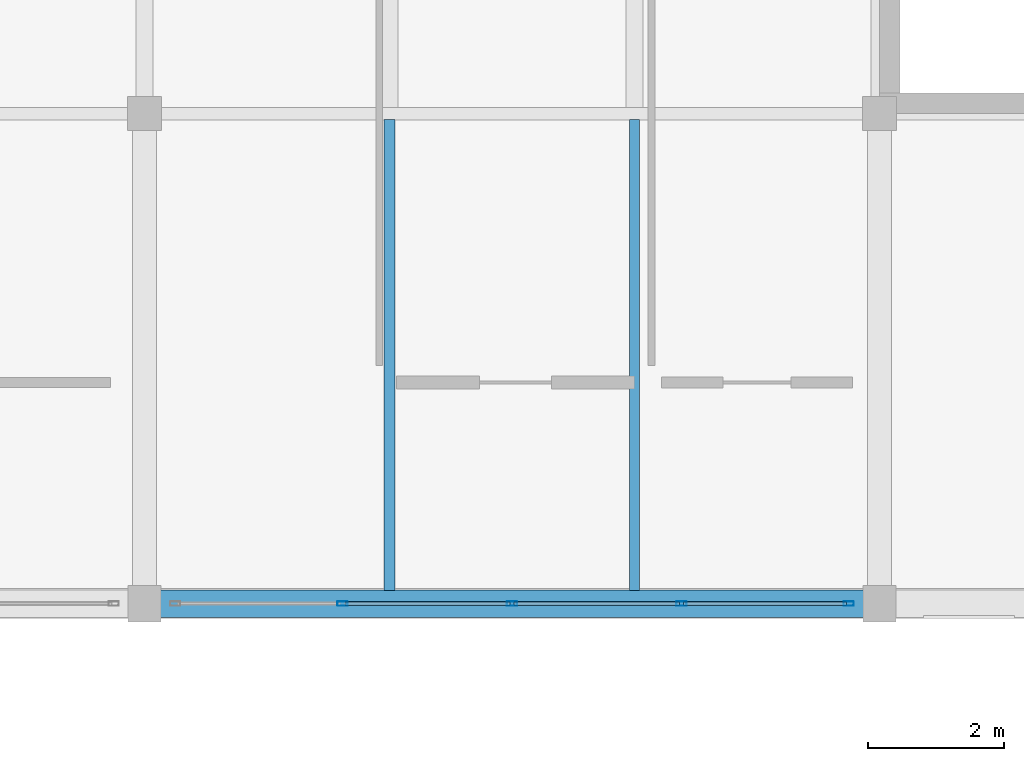
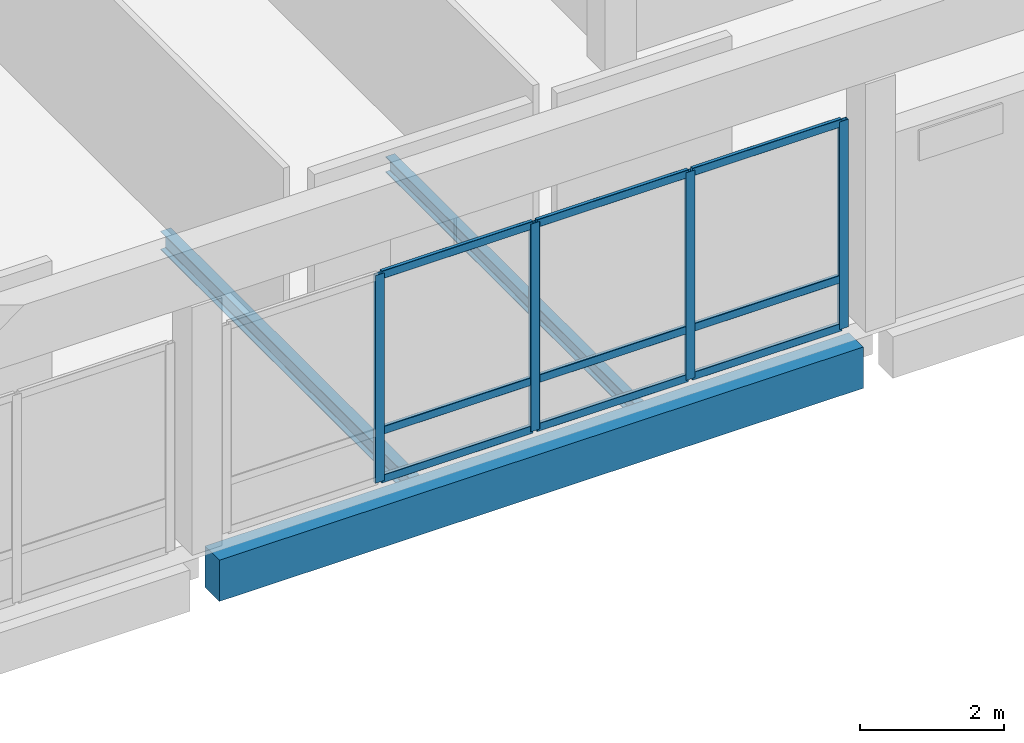
# One storey, part 15 of 33: 13 members, 3 beams, 1 element without a shape of its own.
"""IFC4 building model written with IfcOpenShell, lengths in metres."""

import ifcopenshell
import ifcopenshell.guid

model = None  # the IFC model being written
_history = None  # IfcOwnerHistory: only IFC2X3 demands one
_inside = {}  # id of a spatial element -> (the spatial element, [elements in it])
_under = {}  # id of a project, library or spatial element -> (it, [spatial elements below it])
_declared = {}  # id of a project -> (the project, [libraries it declares])
_typed = {}  # id of a type object -> (the type object, [elements of that type])
_made_of = {}  # id of a material, layer set ... -> (it, [elements and type objects made of it])


def new_model(schema):
    """Start an empty IFC model of exactly this schema.

    Asked for "IFC4X3", IfcOpenShell would pick the latest addendum, in which some entities
    have other attributes; the version numbers below select the first issue.
    IFC2X3 requires an IfcOwnerHistory on every rooted entity: one is made here for all.
    """
    global model, _history
    if schema == "IFC4X3":
        model = ifcopenshell.file(schema_version=(4, 3, 0, 0))
    else:
        model = ifcopenshell.file(schema=schema)
    _inside.clear()
    _under.clear()
    _declared.clear()
    _typed.clear()
    _made_of.clear()
    _history = None
    if model.schema == "IFC2X3":
        org = make("IfcOrganization", Name="unknown")
        user = make(
            "IfcPersonAndOrganization",
            ThePerson=make("IfcPerson", FamilyName="unknown"),
            TheOrganization=org,
        )
        app = make(
            "IfcApplication",
            ApplicationDeveloper=org,
            Version="unknown",
            ApplicationFullName="unknown",
            ApplicationIdentifier="unknown",
        )
        _history = make(
            "IfcOwnerHistory",
            OwningUser=user,
            OwningApplication=app,
            ChangeAction="ADDED",
            CreationDate=0,
        )
    return model


def make(cls, **values):
    """One entity of the class cls with the attributes given. An attribute that is None is left unset."""
    return model.create_entity(
        cls, **{name: value for name, value in values.items() if value is not None}
    )


def rooted(cls, **values):
    """An entity with a GlobalId (a new one), such as an element, a storey or a relation."""
    return make(cls, GlobalId=ifcopenshell.guid.new(), OwnerHistory=_history, **values)


def si_unit(unit_type, name, prefix=None):
    """IfcSIUnit, for example si_unit("LENGTHUNIT", "METRE", prefix="MILLI")."""
    return make("IfcSIUnit", UnitType=unit_type, Prefix=prefix, Name=name)


def assignment(units):
    """IfcUnitAssignment: the units of a project."""
    return None if units is None else make("IfcUnitAssignment", Units=units)


def point(xyz):
    """IfcCartesianPoint."""
    return None if xyz is None else make("IfcCartesianPoint", Coordinates=xyz)


def direction(xyz):
    """IfcDirection."""
    return None if xyz is None else make("IfcDirection", DirectionRatios=xyz)


def frame(location, z_axis=None, x_axis=None):
    """IfcAxis2Placement3D, a coordinate frame: its origin and axes. An axis left out is left unset."""
    return make(
        "IfcAxis2Placement3D",
        Location=point(location),
        Axis=direction(z_axis),
        RefDirection=direction(x_axis),
    )


def frame_2d(location, x_axis=None):
    """IfcAxis2Placement2D, a coordinate frame in the plane: its origin and x axis."""
    return make(
        "IfcAxis2Placement2D", Location=point(location), RefDirection=direction(x_axis)
    )


def origin():
    """The frame at (0, 0, 0) with its axes left unset."""
    return frame((0.0, 0.0, 0.0))


def origin_2d():
    """The frame at (0, 0) in the plane with its x axis left unset."""
    return frame_2d((0.0, 0.0))


def place(relative_to, where):
    """IfcLocalPlacement: puts the frame where relative to a parent placement (None: the world)."""
    return make(
        "IfcLocalPlacement", PlacementRelTo=relative_to, RelativePlacement=where
    )


def context(
    kind, dimensions, precision=None, world=None, true_north=None, identifier=None
):
    """IfcGeometricRepresentationContext, for example the 3D "Model" context."""
    return make(
        "IfcGeometricRepresentationContext",
        ContextIdentifier=identifier,
        ContextType=kind,
        CoordinateSpaceDimension=dimensions,
        Precision=precision,
        WorldCoordinateSystem=world,
        TrueNorth=true_north,
    )


def subcontext(parent, identifier, kind, view, scale=None):
    """IfcGeometricRepresentationSubContext, for example "Body" below "Model"."""
    return make(
        "IfcGeometricRepresentationSubContext",
        ContextIdentifier=identifier,
        ContextType=kind,
        ParentContext=parent,
        TargetScale=scale,
        TargetView=view,
    )


def project(units=None, contexts=None):
    """IfcProject with its units and contexts."""
    return rooted(
        "IfcProject",
        Name="project",
        RepresentationContexts=contexts,
        UnitsInContext=assignment(units),
    )


def spatial(cls, under=None, at=None, **own):
    """A site, building, storey or space (cls), placed at a placement, below another one or the project."""
    s = rooted(cls, ObjectPlacement=at, **own)
    if under is not None:
        _under.setdefault(under.id(), (under, []))[1].append(s)
    return s


def profile(cls, at=None, kind="AREA", **sizes):
    """A parametric profile (cls). Its sizes go by their IFC names, for example OverallWidth=200.0."""
    return make(cls, ProfileType=kind, Position=at, **sizes)


def rectangle(**sizes):
    """IfcRectangleProfileDef."""
    return profile("IfcRectangleProfileDef", **sizes)


def hollow_rectangle(**sizes):
    """IfcRectangleHollowProfileDef."""
    return profile("IfcRectangleHollowProfileDef", **sizes)


def i_section(**sizes):
    """IfcIShapeProfileDef."""
    return profile("IfcIShapeProfileDef", **sizes)


def extrude(swept, where, along, depth):
    """IfcExtrudedAreaSolid: the profile swept, set in the frame where, extruded along a direction by depth."""
    return make(
        "IfcExtrudedAreaSolid",
        SweptArea=swept,
        Position=where,
        ExtrudedDirection=direction(along),
        Depth=depth,
    )


def shape(context_of_items, identifier, shape_type, items):
    """IfcShapeRepresentation: the items that make up one representation, for example the "Body"."""
    return make(
        "IfcShapeRepresentation",
        ContextOfItems=context_of_items,
        RepresentationIdentifier=identifier,
        RepresentationType=shape_type,
        Items=items,
    )


def material(Name=None, Category=None):
    """IfcMaterial."""
    return make("IfcMaterial", Name=Name, Category=Category)


def material_profile(
    of_material, cross_section, Name=None, Category=None, Priority=None
):
    """IfcMaterialProfile: a cross section and its material."""
    return make(
        "IfcMaterialProfile",
        Name=Name,
        Material=of_material,
        Profile=cross_section,
        Priority=Priority,
        Category=Category,
    )


def profile_set(profiles, Name=None, composite=None):
    """IfcMaterialProfileSet."""
    return make(
        "IfcMaterialProfileSet",
        Name=Name,
        MaterialProfiles=profiles,
        CompositeProfile=composite,
    )


def made_of(thing, what):
    """Note that an element or type object is made of a material, layer set ...; save() writes the relation."""
    if what is not None:
        _made_of.setdefault(what.id(), (what, []))[1].append(thing)
    return thing


def type_object(cls, material=None, **own):
    """A type object (cls), such as IfcWallType, which elements share."""
    return made_of(rooted(cls, **own), material)


def element(
    cls,
    number,
    at=None,
    inside=None,
    cuts=None,
    type_object=None,
    material=None,
    context=None,
    identifier="Body",
    shape_type=None,
    held_by="IfcProductDefinitionShape",
    body=None,
    shapes=None,
    **own,
):
    """One element of the class cls, such as IfcWall. Its Tag is "e" and its number.

    at: its placement. inside: the storey or other place that contains it. cuts: it is an
    opening in that element (IfcRelVoidsElement). A single representation is given by context,
    identifier, shape_type and body (its items); several are given by shapes. held_by: the class
    of the entity that holds the representations. save() writes the other relations.
    """
    e = rooted(cls, Tag="e%d" % number, ObjectPlacement=at, **own)
    if body is not None:
        shapes = [shape(context, identifier, shape_type, body)]
    if shapes is not None:
        e.Representation = make(held_by, Representations=shapes)
    if inside is not None:
        _inside.setdefault(inside.id(), (inside, []))[1].append(e)
    if cuts is not None:
        rooted(
            "IfcRelVoidsElement", RelatingBuildingElement=cuts, RelatedOpeningElement=e
        )
    if type_object is not None:
        _typed.setdefault(type_object.id(), (type_object, []))[1].append(e)
    return made_of(e, material)


def aggregate(whole, parts):
    """IfcRelAggregates: a whole, such as a stair, and the parts it consists of."""
    return rooted("IfcRelAggregates", RelatingObject=whole, RelatedObjects=parts)


def save(model, path):
    """Write the relations noted so far, then the file.

    IfcRelAggregates (storeys below a building ...), IfcRelContainedInSpatialStructure (elements
    in a storey), IfcRelDefinesByType, IfcRelAssociatesMaterial and IfcRelDeclares: one each for
    every whole, place, type object, material and project.
    """
    for whole, parts in _under.values():
        aggregate(whole, parts)
    for where, things in _inside.values():
        rooted(
            "IfcRelContainedInSpatialStructure",
            RelatedElements=things,
            RelatingStructure=where,
        )
    for kind, things in _typed.values():
        rooted("IfcRelDefinesByType", RelatedObjects=things, RelatingType=kind)
    for what, things in _made_of.values():
        rooted("IfcRelAssociatesMaterial", RelatedObjects=things, RelatingMaterial=what)
    for by, libraries in _declared.values():
        rooted("IfcRelDeclares", RelatingContext=by, RelatedDefinitions=libraries)
    model.write(path)


model = new_model("IFC4")

# Units and contexts
model_context = context("Model", 3, precision=1e-05, world=origin(), true_north=direction((0.0, 1.0)))
body_context = subcontext(model_context, "Body", "Model", "MODEL_VIEW")
ifc_project = project(units=[si_unit("LENGTHUNIT", "METRE"), si_unit("AREAUNIT", "SQUARE_METRE"), si_unit("VOLUMEUNIT", "CUBIC_METRE"), si_unit("PLANEANGLEUNIT", "RADIAN"), si_unit("MASSUNIT", "GRAM", prefix="KILO")], contexts=[model_context])

# Site, building, storey
site_placement = place(None, origin())
site = spatial("IfcSite", under=ifc_project, at=site_placement, CompositionType="ELEMENT")
building_placement = place(site_placement, origin())
building = spatial("IfcBuilding", under=site, at=building_placement, Name="Lusvemor Sports Hall", CompositionType="ELEMENT")
storey_placement = place(building_placement, frame((0.0, 0.0, 19.199951171875)))
storey = spatial("IfcBuildingStorey", under=building, at=storey_placement, Name="L04", CompositionType="ELEMENT", Elevation=19.199951171875)

# Curtain wall, members
ifc_material_1 = material(Name="Thermally broken bronze-anodized aluminium", Category="aluminium")
curtain_wall_type = type_object("IfcCurtainWallType", Name="CW_WING_B", PredefinedType="NOTDEFINED", material=ifc_material_1)
curtain_wall_placement = place(storey_placement, origin())
curtain_wall = element("IfcCurtainWall", 1, at=curtain_wall_placement, inside=storey, type_object=curtain_wall_type, Name="Curtain Wall CW-L04-S-3-4", PredefinedType="NOTDEFINED")
ifc_material_2 = material(Name="Thermally broken bronze-anodized aluminium", Category="aluminium")
ifc_material_profile_1 = material_profile(ifc_material_2, hollow_rectangle(XDim=0.06494140625, YDim=0.14990234375, WallThickness=0.00390625, InnerFilletRadius=0.00390625, OuterFilletRadius=0.008056640625, at=origin_2d()), Name="CWMUL150x65x4")
ifc_profile_set_1 = profile_set([ifc_material_profile_1], Name="Thermally broken bronze-anodized aluminium")
member_type_1 = type_object("IfcMemberType", Name="CW_MUL_B", PredefinedType="MULLION", material=ifc_profile_set_1)
member_1_placement = place(storey_placement, frame((53.547607421875, 97.199951171875, 0.0), z_axis=(0.0, 0.0, 1.0), x_axis=(0.0, -1.0, 0.0)))
member_1 = element("IfcMember", 2, at=member_1_placement, type_object=member_type_1, Name="CW02 mullion 1", PredefinedType="MULLION", context=body_context, shape_type="SweptSolid", body=[
    extrude(hollow_rectangle(XDim=0.06494140625, YDim=0.14990234375, WallThickness=0.00390625, InnerFilletRadius=0.00390625, OuterFilletRadius=0.008056640625, at=origin_2d()), origin(), (0.0, 0.0, 1.0), 3.52001953125),
])
member_2_placement = place(storey_placement, frame((51.090087890625, 97.199951171875, 0.0), z_axis=(0.0, 0.0, 1.0), x_axis=(0.0, -1.0, 0.0)))
member_2 = element("IfcMember", 3, at=member_2_placement, type_object=member_type_1, Name="CW02 mullion 2", PredefinedType="MULLION", context=body_context, shape_type="SweptSolid", body=[
    extrude(hollow_rectangle(XDim=0.06494140625, YDim=0.14990234375, WallThickness=0.00390625, InnerFilletRadius=0.00390625, OuterFilletRadius=0.008056640625, at=origin_2d()), origin(), (0.0, 0.0, 1.0), 3.52001953125),
])
member_3_placement = place(storey_placement, frame((48.60009765625, 97.199951171875, 0.0), z_axis=(0.0, 0.0, 1.0), x_axis=(0.0, -1.0, 0.0)))
member_3 = element("IfcMember", 4, at=member_3_placement, type_object=member_type_1, Name="CW02 mullion 3", PredefinedType="MULLION", context=body_context, shape_type="SweptSolid", body=[
    extrude(hollow_rectangle(XDim=0.06494140625, YDim=0.14990234375, WallThickness=0.00390625, InnerFilletRadius=0.00390625, OuterFilletRadius=0.008056640625, at=origin_2d()), origin(), (0.0, 0.0, 1.0), 3.52001953125),
])
member_4_placement = place(storey_placement, frame((46.110107421875, 97.199951171875, 0.0), z_axis=(0.0, 0.0, 1.0), x_axis=(0.0, -1.0, 0.0)))
member_4 = element("IfcMember", 5, at=member_4_placement, type_object=member_type_1, Name="CW02 mullion 4", PredefinedType="MULLION", context=body_context, shape_type="SweptSolid", body=[
    extrude(hollow_rectangle(XDim=0.06494140625, YDim=0.14990234375, WallThickness=0.00390625, InnerFilletRadius=0.00390625, OuterFilletRadius=0.008056640625, at=origin_2d()), origin(), (0.0, 0.0, 1.0), 3.52001953125),
])
ifc_material_3 = material(Name="Thermally broken bronze-anodized aluminium", Category="aluminium")
ifc_material_profile_2 = material_profile(ifc_material_3, hollow_rectangle(XDim=0.06005859375, YDim=0.135009765625, WallThickness=0.00390625, InnerFilletRadius=0.00390625, OuterFilletRadius=0.008056640625, at=origin_2d()), Name="CWTRN135x60x4")
ifc_profile_set_2 = profile_set([ifc_material_profile_2], Name="Thermally broken bronze-anodized aluminium")
member_type_2 = type_object("IfcMemberType", Name="CW_TRN_B", PredefinedType="USERDEFINED", material=ifc_profile_set_2)
member_5_placement = place(storey_placement, frame((53.514892578125, 97.199951171875, 0.030029296875), z_axis=(-1.0, 0.0, 0.0), x_axis=(0.0, -1.0, 0.0)))
member_5 = element("IfcMember", 6, at=member_5_placement, type_object=member_type_2, Name="CW02 transom 1.1", ObjectType="TRANSOM", PredefinedType="USERDEFINED", context=body_context, shape_type="SweptSolid", body=[
    extrude(hollow_rectangle(XDim=0.06005859375, YDim=0.135009765625, WallThickness=0.00390625, InnerFilletRadius=0.00390625, OuterFilletRadius=0.008056640625, at=origin_2d()), origin(), (0.0, 0.0, 1.0), 2.392333984375),
])
member_6_placement = place(storey_placement, frame((53.514892578125, 97.199951171875, 0.85009765625), z_axis=(-1.0, 0.0, 0.0), x_axis=(0.0, -1.0, 0.0)))
member_6 = element("IfcMember", 7, at=member_6_placement, type_object=member_type_2, Name="CW02 transom 1.2", ObjectType="TRANSOM", PredefinedType="USERDEFINED", context=body_context, shape_type="SweptSolid", body=[
    extrude(hollow_rectangle(XDim=0.06005859375, YDim=0.135009765625, WallThickness=0.00390625, InnerFilletRadius=0.00390625, OuterFilletRadius=0.008056640625, at=origin_2d()), origin(), (0.0, 0.0, 1.0), 2.392333984375),
])
member_7_placement = place(storey_placement, frame((53.514892578125, 97.199951171875, 3.489990234375), z_axis=(-1.0, 0.0, 0.0), x_axis=(0.0, -1.0, 0.0)))
member_7 = element("IfcMember", 8, at=member_7_placement, type_object=member_type_2, Name="CW02 transom 1.3", ObjectType="TRANSOM", PredefinedType="USERDEFINED", context=body_context, shape_type="SweptSolid", body=[
    extrude(hollow_rectangle(XDim=0.06005859375, YDim=0.135009765625, WallThickness=0.00390625, InnerFilletRadius=0.00390625, OuterFilletRadius=0.008056640625, at=origin_2d()), origin(), (0.0, 0.0, 1.0), 2.392333984375),
])
member_8_placement = place(storey_placement, frame((51.0576171875, 97.199951171875, 0.030029296875), z_axis=(-1.0, 0.0, 0.0), x_axis=(0.0, -1.0, 0.0)))
member_8 = element("IfcMember", 9, at=member_8_placement, type_object=member_type_2, Name="CW02 transom 2.1", ObjectType="TRANSOM", PredefinedType="USERDEFINED", context=body_context, shape_type="SweptSolid", body=[
    extrude(hollow_rectangle(XDim=0.06005859375, YDim=0.135009765625, WallThickness=0.00390625, InnerFilletRadius=0.00390625, OuterFilletRadius=0.008056640625, at=origin_2d()), origin(), (0.0, 0.0, 1.0), 2.425048828125),
])
member_9_placement = place(storey_placement, frame((51.0576171875, 97.199951171875, 0.85009765625), z_axis=(-1.0, 0.0, 0.0), x_axis=(0.0, -1.0, 0.0)))
member_9 = element("IfcMember", 10, at=member_9_placement, type_object=member_type_2, Name="CW02 transom 2.2", ObjectType="TRANSOM", PredefinedType="USERDEFINED", context=body_context, shape_type="SweptSolid", body=[
    extrude(hollow_rectangle(XDim=0.06005859375, YDim=0.135009765625, WallThickness=0.00390625, InnerFilletRadius=0.00390625, OuterFilletRadius=0.008056640625, at=origin_2d()), origin(), (0.0, 0.0, 1.0), 2.425048828125),
])
member_10_placement = place(storey_placement, frame((51.0576171875, 97.199951171875, 3.489990234375), z_axis=(-1.0, 0.0, 0.0), x_axis=(0.0, -1.0, 0.0)))
member_10 = element("IfcMember", 11, at=member_10_placement, type_object=member_type_2, Name="CW02 transom 2.3", ObjectType="TRANSOM", PredefinedType="USERDEFINED", context=body_context, shape_type="SweptSolid", body=[
    extrude(hollow_rectangle(XDim=0.06005859375, YDim=0.135009765625, WallThickness=0.00390625, InnerFilletRadius=0.00390625, OuterFilletRadius=0.008056640625, at=origin_2d()), origin(), (0.0, 0.0, 1.0), 2.425048828125),
])
member_11_placement = place(storey_placement, frame((48.5673828125, 97.199951171875, 0.030029296875), z_axis=(-1.0, 0.0, 0.0), x_axis=(0.0, -1.0, 0.0)))
member_11 = element("IfcMember", 12, at=member_11_placement, type_object=member_type_2, Name="CW02 transom 3.1", ObjectType="TRANSOM", PredefinedType="USERDEFINED", context=body_context, shape_type="SweptSolid", body=[
    extrude(hollow_rectangle(XDim=0.06005859375, YDim=0.135009765625, WallThickness=0.00390625, InnerFilletRadius=0.00390625, OuterFilletRadius=0.008056640625, at=origin_2d()), origin(), (0.0, 0.0, 1.0), 2.4248046875),
])
member_12_placement = place(storey_placement, frame((48.5673828125, 97.199951171875, 0.85009765625), z_axis=(-1.0, 0.0, 0.0), x_axis=(0.0, -1.0, 0.0)))
member_12 = element("IfcMember", 13, at=member_12_placement, type_object=member_type_2, Name="CW02 transom 3.2", ObjectType="TRANSOM", PredefinedType="USERDEFINED", context=body_context, shape_type="SweptSolid", body=[
    extrude(hollow_rectangle(XDim=0.06005859375, YDim=0.135009765625, WallThickness=0.00390625, InnerFilletRadius=0.00390625, OuterFilletRadius=0.008056640625, at=origin_2d()), origin(), (0.0, 0.0, 1.0), 2.4248046875),
])
member_13_placement = place(storey_placement, frame((48.5673828125, 97.199951171875, 3.489990234375), z_axis=(-1.0, 0.0, 0.0), x_axis=(0.0, -1.0, 0.0)))
member_13 = element("IfcMember", 14, at=member_13_placement, type_object=member_type_2, Name="CW02 transom 3.3", ObjectType="TRANSOM", PredefinedType="USERDEFINED", context=body_context, shape_type="SweptSolid", body=[
    extrude(hollow_rectangle(XDim=0.06005859375, YDim=0.135009765625, WallThickness=0.00390625, InnerFilletRadius=0.00390625, OuterFilletRadius=0.008056640625, at=origin_2d()), origin(), (0.0, 0.0, 1.0), 2.4248046875),
])
aggregate(curtain_wall, [member_1, member_2, member_3, member_4, member_5, member_6, member_7, member_8, member_9, member_10, member_11, member_12, member_13])

# Beams
ifc_material_4 = material(Name="Steel S355", Category="steel")
ifc_material_profile_3 = material_profile(ifc_material_4, i_section(OverallWidth=0.14794921875, OverallDepth=0.26611328125, WebThickness=0.007568359375, FlangeThickness=0.012939453125, FilletRadius=0.012939453125, at=origin_2d()), Name="W250x44.8")
ifc_profile_set_3 = profile_set([ifc_material_profile_3], Name="Steel S355")
beam_type_1 = type_object("IfcBeamType", Name="JOIST_ST_250M", PredefinedType="JOIST", material=ifc_profile_set_3)
beam_1_placement = place(storey_placement, frame((50.39990234375, 97.39599609375, -0.427001953125), z_axis=(0.0, 1.0, 0.0), x_axis=(-1.0, 0.0, 0.0)))
element("IfcBeam", 15, at=beam_1_placement, inside=storey, type_object=beam_type_1, Name="Secondary Joist L04 5-6/N-P #2", PredefinedType="JOIST", context=body_context, shape_type="SweptSolid", body=[
    extrude(i_section(OverallWidth=0.14794921875, OverallDepth=0.26611328125, WebThickness=0.007568359375, FlangeThickness=0.012939453125, FilletRadius=0.012939453125, at=origin_2d()), origin(), (0.0, 0.0, 1.0), 6.91748046875),
])
ifc_material_5 = material(Name="Steel S355", Category="steel")
ifc_material_profile_4 = material_profile(ifc_material_5, i_section(OverallWidth=0.1669921875, OverallDepth=0.31689453125, WebThickness=0.007568359375, FlangeThickness=0.01318359375, FilletRadius=0.014892578125, at=origin_2d()), Name="W310x52.0")
ifc_profile_set_4 = profile_set([ifc_material_profile_4], Name="Steel S355")
beam_type_2 = type_object("IfcBeamType", Name="JOIST_ST_310M", PredefinedType="JOIST", material=ifc_profile_set_4)
beam_2_placement = place(storey_placement, frame((46.800048828125, 97.39599609375, -0.452392578125), z_axis=(0.0, 1.0, 0.0), x_axis=(-1.0, 0.0, 0.0)))
element("IfcBeam", 16, at=beam_2_placement, inside=storey, type_object=beam_type_2, Name="Secondary Joist L04 5-6/N-P #1", PredefinedType="JOIST", context=body_context, shape_type="SweptSolid", body=[
    extrude(i_section(OverallWidth=0.1669921875, OverallDepth=0.31689453125, WebThickness=0.007568359375, FlangeThickness=0.01318359375, FilletRadius=0.014892578125, at=origin_2d()), origin(), (0.0, 0.0, 1.0), 6.91748046875),
])
ifc_material_6 = material(Name="Concrete C40/50", Category="concrete")
ifc_material_profile_5 = material_profile(ifc_material_6, rectangle(XDim=0.39990234375, YDim=0.699951171875, at=origin_2d()), Name="RC400x700")
ifc_profile_set_5 = profile_set([ifc_material_profile_5], Name="Concrete C40/50")
beam_type_3 = type_object("IfcBeamType", Name="SPAND_EXT_700", PredefinedType="SPANDREL", material=ifc_profile_set_5)
beam_3_placement = place(storey_placement, frame((43.43603515625, 97.199951171875, -0.639892578125), z_axis=(1.0, 0.0, 0.0), x_axis=(0.0, 1.0, 0.0)))
element("IfcBeam", 17, at=beam_3_placement, inside=storey, type_object=beam_type_3, Name="Beam L04 N:5-6", PredefinedType="SPANDREL", context=body_context, shape_type="SweptSolid", body=[
    extrude(rectangle(XDim=0.39990234375, YDim=0.699951171875, at=origin_2d()), origin(), (0.0, 0.0, 1.0), 10.327880859375),
])

save(model, "model.ifc")
